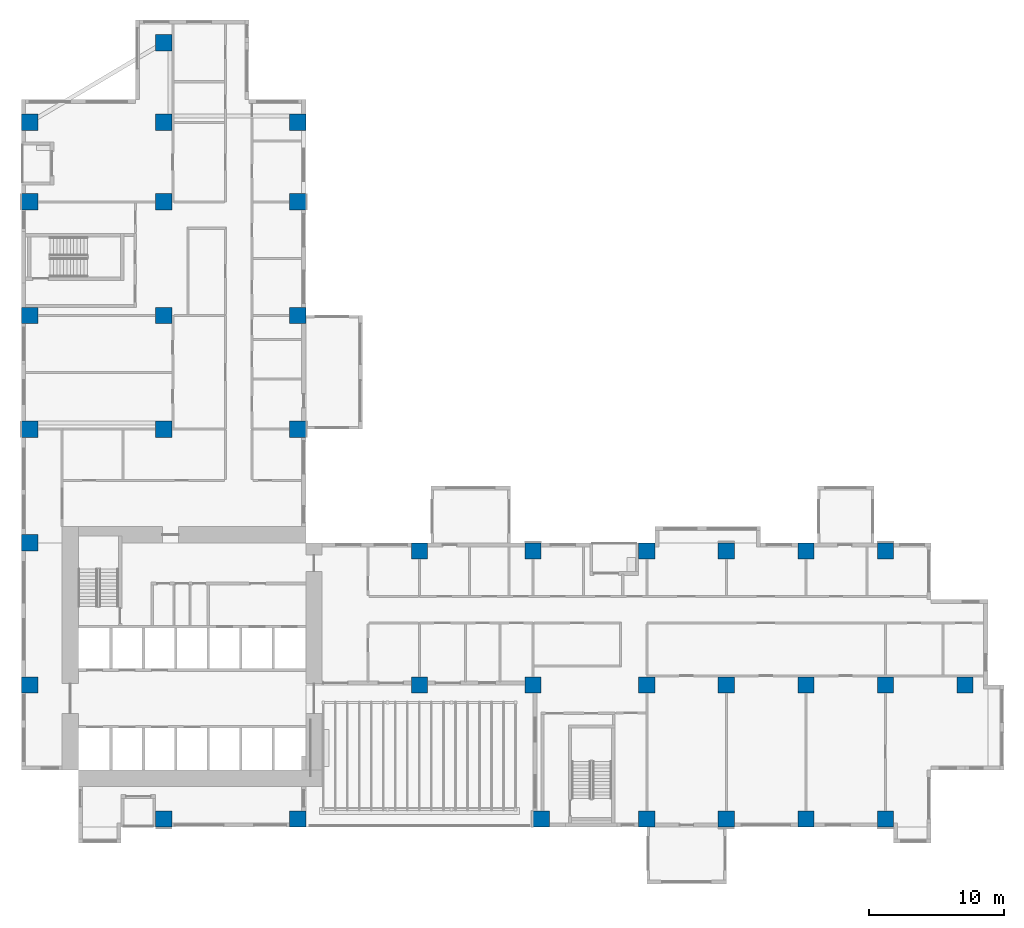
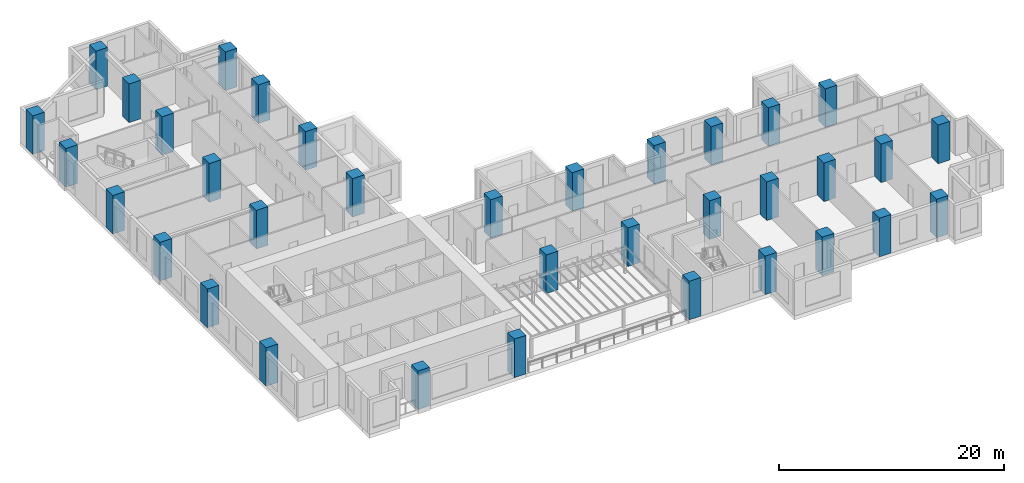
# One storey, part 1 of 16: 35 columns.
"""IFC4 building model written with IfcOpenShell, lengths in metres."""

from ifc_helpers import new_model, si_unit, direction, frame, origin, origin_2d, place, context, subcontext, project, spatial, rectangle, extrude, source, transform, mapped, material, material_profile, profile_set, type_object, element, save


model = new_model("IFC4")

# Units and contexts
model_context = context("Model", 3, precision=1e-05, world=origin(), true_north=direction((0.0, 1.0)))
body_context = subcontext(model_context, "Body", "Model", "MODEL_VIEW")
ifc_project = project(units=[si_unit("LENGTHUNIT", "METRE"), si_unit("AREAUNIT", "SQUARE_METRE"), si_unit("VOLUMEUNIT", "CUBIC_METRE"), si_unit("PLANEANGLEUNIT", "RADIAN"), si_unit("MASSUNIT", "GRAM", prefix="KILO")], contexts=[model_context])

# Site, building, storey
site_placement = place(None, origin())
site = spatial("IfcSite", under=ifc_project, at=site_placement, CompositionType="ELEMENT")
building_placement = place(site_placement, origin())
building = spatial("IfcBuilding", under=site, at=building_placement, Name="Aurelian Terraces", CompositionType="ELEMENT")
storey_placement = place(building_placement, frame((0.0, 0.0, 95.1)))
storey = spatial("IfcBuildingStorey", under=building, at=storey_placement, Name="L20", CompositionType="ELEMENT", Elevation=95.1)

# Columns
ifc_material = material(Name="Concrete fc' 83 MPa", Category="concrete")
ifc_material_profile = material_profile(ifc_material, rectangle(XDim=1.2, YDim=1.2, at=origin_2d()))
ifc_profile_set = profile_set([ifc_material_profile], Name="Concrete fc' 83 MPa")
column_type = type_object("IfcColumnType", Name="RC COLUMN 1200X1200 FC83", PredefinedType="COLUMN", material=ifc_profile_set)
shared_shape = source(origin(), body_context, "Body", "SweptSolid", [
    extrude(rectangle(XDim=1.2, YDim=1.2, at=origin_2d()), origin(), (0.0, 0.0, 1.0), 4.2),
])
for number, where, z_axis, x_axis, name in (
    (1, (10.5, 0.6, 0.0), (0.0, 0.0, 1.0), (1.0, 0.0, 0.0), "Column 2/A L20"),
    (2, (20.4, 0.6, 0.0), (0.0, 0.0, 1.0), (1.0, 0.0, 0.0), "Column 3/A L20"),
    (3, (38.4, 0.6, 0.0), (0.0, 0.0, 1.0), (1.0, 0.0, 0.0), "Column 5/A L20"),
    (4, (46.2, 0.6, 0.0), (0.0, 0.0, 1.0), (1.0, 0.0, 0.0), "Column 6/A L20"),
    (5, (52.08, 0.6, 0.0), (0.0, 0.0, 1.0), (1.0, 0.0, 0.0), "Column 7/A L20"),
    (6, (57.96, 0.6, 0.0), (0.0, 0.0, 1.0), (1.0, 0.0, 0.0), "Column 8/A L20"),
    (7, (63.84, 0.6, 0.0), (0.0, 0.0, 1.0), (1.0, 0.0, 0.0), "Column 9/A L20"),
    (8, (0.6, 10.5, 0.0), (0.0, 0.0, 1.0), (1.0, 0.0, 0.0), "Column 1/B L20"),
    (9, (29.4, 10.5, 0.0), (0.0, 0.0, 1.0), (1.0, 0.0, 0.0), "Column 4/B L20"),
    (10, (37.8, 10.5, 0.0), (0.0, 0.0, 1.0), (1.0, 0.0, 0.0), "Column 5/B L20"),
    (11, (46.2, 10.5, 0.0), (0.0, 0.0, 1.0), (1.0, 0.0, 0.0), "Column 6/B L20"),
    (12, (52.08, 10.5, 0.0), (0.0, 0.0, 1.0), (1.0, 0.0, 0.0), "Column 7/B L20"),
    (13, (57.96, 10.5, 0.0), (0.0, 0.0, 1.0), (1.0, 0.0, 0.0), "Column 8/B L20"),
    (14, (63.84, 10.5, 0.0), (0.0, 0.0, 1.0), (1.0, 0.0, 0.0), "Column 9/B L20"),
    (15, (69.72, 10.5, 0.0), (0.0, 0.0, 1.0), (1.0, 0.0, 0.0), "Column 10/B L20"),
    (16, (0.6, 21.0, 0.0), (0.0, 0.0, 1.0), (1.0, 0.0, 0.0), "Column 1/C L20"),
    (17, (29.4, 20.4, 0.0), (0.0, 0.0, 1.0), (1.0, 0.0, 0.0), "Column 4/C L20"),
    (18, (37.8, 20.4, 0.0), (0.0, 0.0, 1.0), (1.0, 0.0, 0.0), "Column 5/C L20"),
    (19, (46.2, 20.4, 0.0), (0.0, 0.0, 1.0), (1.0, 0.0, 0.0), "Column 6/C L20"),
    (20, (52.08, 20.4, 0.0), (0.0, 0.0, 1.0), (1.0, 0.0, 0.0), "Column 7/C L20"),
    (21, (57.96, 20.4, 0.0), (0.0, 0.0, 1.0), (1.0, 0.0, 0.0), "Column 8/C L20"),
    (22, (63.84, 20.4, 0.0), (0.0, 0.0, 1.0), (1.0, 0.0, 0.0), "Column 9/C L20"),
    (23, (0.6, 29.4, 0.0), (0.0, 0.0, 1.0), (1.0, 0.0, 0.0), "Column 1/D L20"),
    (24, (10.5, 29.4, 0.0), (0.0, 0.0, 1.0), (1.0, 0.0, 0.0), "Column 2/D L20"),
    (25, (20.4, 29.4, 0.0), (0.0, 0.0, 1.0), (1.0, 0.0, 0.0), "Column 3/D L20"),
    (26, (0.6, 37.8, 0.0), (0.0, 0.0, 1.0), (1.0, 0.0, 0.0), "Column 1/E L20"),
    (27, (10.5, 37.8, 0.0), (0.0, 0.0, 1.0), (1.0, 0.0, 0.0), "Column 2/E L20"),
    (28, (20.4, 37.8, 0.0), (0.0, 0.0, 1.0), (1.0, 0.0, 0.0), "Column 3/E L20"),
    (29, (0.6, 46.2, 0.0), (0.0, 0.0, 1.0), (1.0, 0.0, 0.0), "Column 1/F L20"),
    (30, (10.5, 46.2, 0.0), (0.0, 0.0, 1.0), (1.0, 0.0, 0.0), "Column 2/F L20"),
    (31, (20.4, 46.2, 0.0), (0.0, 0.0, 1.0), (1.0, 0.0, 0.0), "Column 3/F L20"),
    (32, (0.6, 52.08, 0.0), (0.0, 0.0, 1.0), (1.0, 0.0, 0.0), "Column 1/G L20"),
    (33, (10.5, 52.08, 0.0), (0.0, 0.0, 1.0), (1.0, 0.0, 0.0), "Column 2/G L20"),
    (34, (20.4, 52.08, 0.0), (0.0, 0.0, 1.0), (1.0, 0.0, 0.0), "Column 3/G L20"),
    (35, (10.5, 57.96, 0.0), (0.0, 0.0, 1.0), (1.0, 0.0, 0.0), "Column 2/H L20"),
):
    element("IfcColumn", number, at=place(storey_placement, frame(where, z_axis=z_axis, x_axis=x_axis)), inside=storey, type_object=column_type, Name=name, PredefinedType="COLUMN", context=body_context, shape_type="MappedRepresentation", body=[
        mapped(shared_shape, transform((0.0, 0.0, 0.0), scale=1.0)),
    ])

save(model, "model.ifc")
